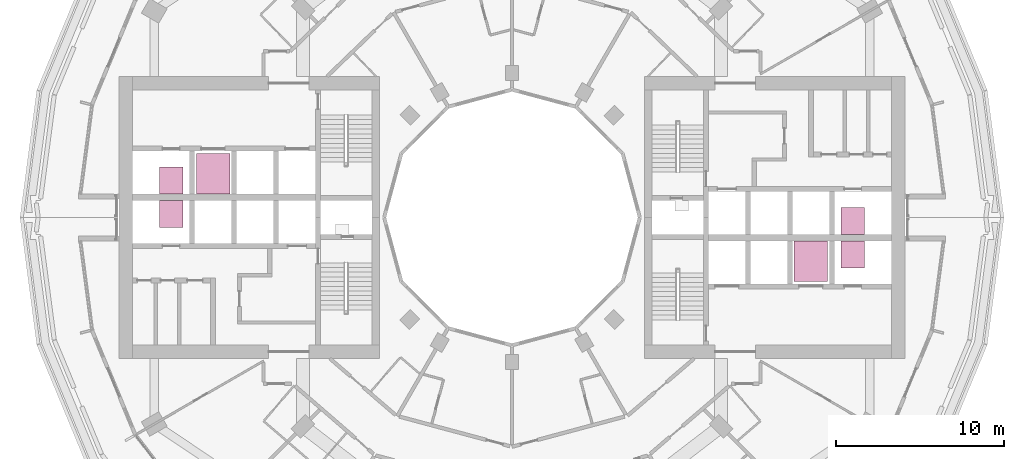
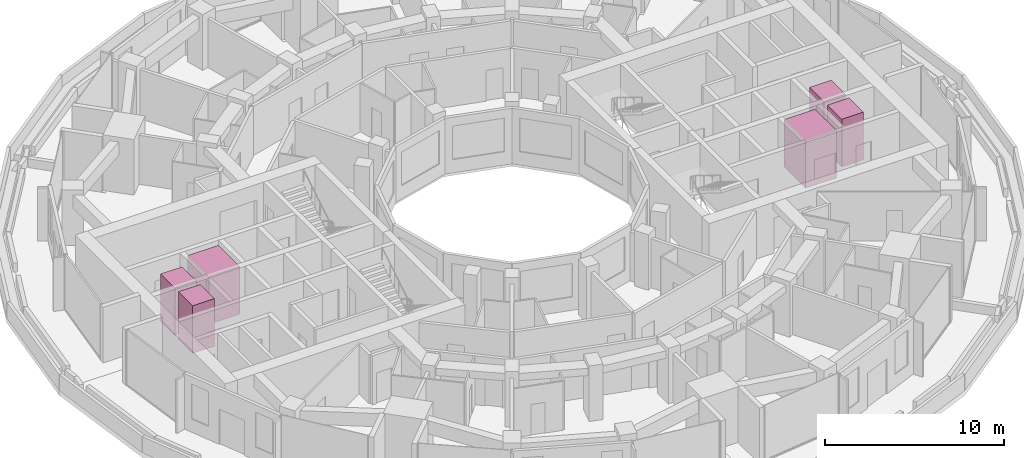
# One storey, part 19 of 19: 6 transport elements.
"""IFC4 building model written with IfcOpenShell, lengths in metres."""

from ifc_helpers import new_model, si_unit, direction, frame, origin, origin_2d, place, context, subcontext, project, spatial, rectangle, extrude, material, type_object, element, save


model = new_model("IFC4")

# Units and contexts
model_context = context("Model", 3, precision=1e-05, world=origin(), true_north=direction((0.0, 1.0)))
body_context = subcontext(model_context, "Body", "Model", "MODEL_VIEW")
ifc_project = project(units=[si_unit("LENGTHUNIT", "METRE"), si_unit("AREAUNIT", "SQUARE_METRE"), si_unit("VOLUMEUNIT", "CUBIC_METRE"), si_unit("PLANEANGLEUNIT", "RADIAN"), si_unit("MASSUNIT", "GRAM", prefix="KILO")], contexts=[model_context])

# Site, building, storey
site_placement = place(None, origin())
site = spatial("IfcSite", under=ifc_project, at=site_placement, CompositionType="ELEMENT")
building_placement = place(site_placement, origin())
building = spatial("IfcBuilding", under=site, at=building_placement, Name="Torre Brocal", CompositionType="ELEMENT")
storey_placement = place(building_placement, frame((0.0, 0.0, 28.800048828125)))
storey = spatial("IfcBuildingStorey", under=building, at=storey_placement, Name="L05", CompositionType="ELEMENT", Elevation=28.800048828125)

# Transport elements
ifc_material_1 = material(Name="Stainless steel AISI 316", Category="steel")
transport_element_type_1 = type_object("IfcTransportElementType", Name="PASSENGER LIFT 2000", PredefinedType="ELEVATOR", material=ifc_material_1)
for number, where, z_axis, x_axis, name in (
    (1, (97.800048828125, 72.39990234375, 0.0), (0.0, 0.0, 1.0), (1.0, 0.0, 0.0), "LOW RISE LIFT E-LR2"),
    (2, (62.199951171875, 77.60009765625, 0.0), (0.0, 0.0, 1.0), (1.0, 0.0, 0.0), "LOW RISE LIFT W-LR2"),
):
    element("IfcTransportElement", number, at=place(storey_placement, frame(where, z_axis=z_axis, x_axis=x_axis)), inside=storey, type_object=transport_element_type_1, Name=name, PredefinedType="ELEVATOR", context=body_context, shape_type="SweptSolid", body=[
        extrude(rectangle(XDim=2.0, YDim=2.39990234375, at=origin_2d()), origin(), (0.0, 0.0, 1.0), 3.25),
    ])
ifc_material_2 = material(Name="Stainless steel AISI 316", Category="steel")
transport_element_type_2 = type_object("IfcTransportElementType", Name="PASSENGER LIFT 900", PredefinedType="ELEVATOR", material=ifc_material_2)
for number, where, z_axis, x_axis, name in (
    (3, (100.300048828125, 74.800048828125, 0.0), (0.0, 0.0, 1.0), (1.0, 0.0, 0.0), "LOW RISE LIFT E-LR1"),
    (4, (100.300048828125, 72.800048828125, 0.0), (0.0, 0.0, 1.0), (1.0, 0.0, 0.0), "LOW RISE LIFT E-LR3"),
    (5, (59.699951171875, 75.199951171875, 0.0), (0.0, 0.0, 1.0), (1.0, 0.0, 0.0), "LOW RISE LIFT W-LR1"),
    (6, (59.699951171875, 77.199951171875, 0.0), (0.0, 0.0, 1.0), (1.0, 0.0, 0.0), "LOW RISE LIFT W-LR3"),
):
    element("IfcTransportElement", number, at=place(storey_placement, frame(where, z_axis=z_axis, x_axis=x_axis)), inside=storey, type_object=transport_element_type_2, Name=name, PredefinedType="ELEVATOR", context=body_context, shape_type="SweptSolid", body=[
        extrude(rectangle(XDim=1.39990234375, YDim=1.60009765625, at=origin_2d()), origin(), (0.0, 0.0, 1.0), 3.25),
    ])

save(model, "model.ifc")
